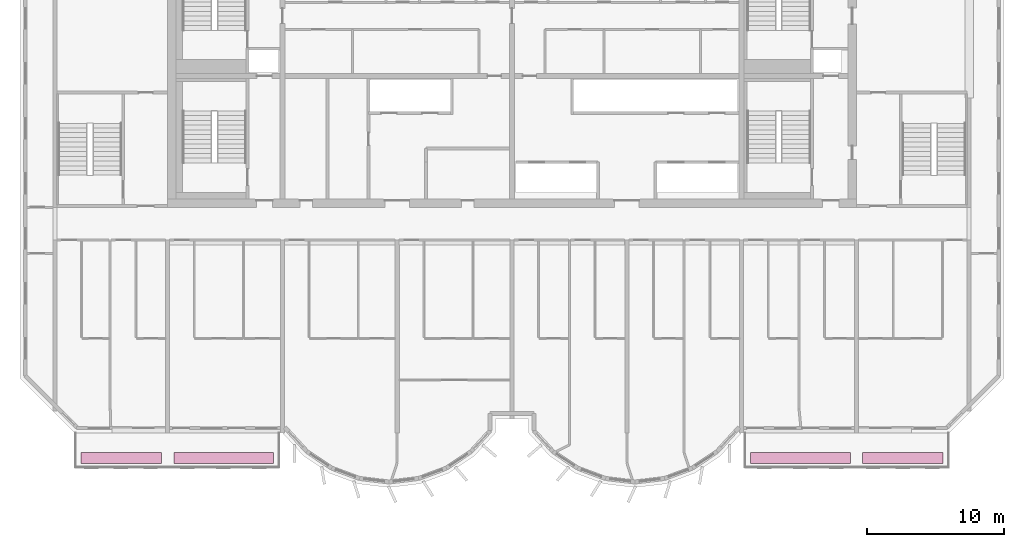
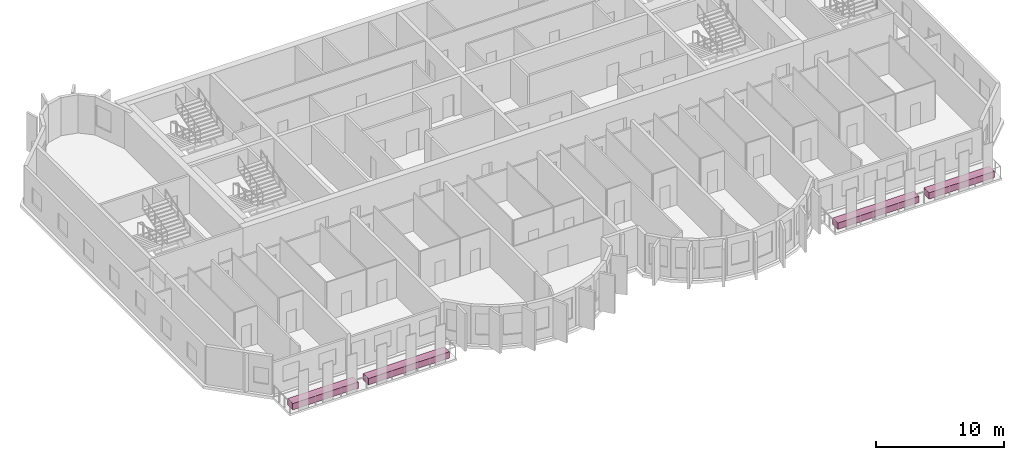
# One storey, part 12 of 12: 4 furniture elements.
"""IFC4 building model written with IfcOpenShell, lengths in metres."""

from ifc_helpers import new_model, si_unit, direction, frame, origin, origin_2d, place, context, subcontext, project, spatial, rectangle, extrude, source, transform, mapped, material, type_object, element, save


model = new_model("IFC4")

# Units and contexts
model_context = context("Model", 3, precision=1e-05, world=origin(), true_north=direction((0.0, 1.0)))
body_context = subcontext(model_context, "Body", "Model", "MODEL_VIEW")
ifc_project = project(units=[si_unit("LENGTHUNIT", "METRE"), si_unit("AREAUNIT", "SQUARE_METRE"), si_unit("VOLUMEUNIT", "CUBIC_METRE"), si_unit("PLANEANGLEUNIT", "RADIAN"), si_unit("MASSUNIT", "GRAM", prefix="KILO")], contexts=[model_context])

# Site, building, storey
site_placement = place(None, origin())
site = spatial("IfcSite", under=ifc_project, at=site_placement, CompositionType="ELEMENT")
building_placement = place(site_placement, origin())
building = spatial("IfcBuilding", under=site, at=building_placement, Name="Vanashikhar Sky Hotel", CompositionType="ELEMENT")
storey_placement = place(building_placement, frame((0.0, 0.0, 221.800048828125)))
storey = spatial("IfcBuildingStorey", under=building, at=storey_placement, Name="L53", CompositionType="ELEMENT", Elevation=221.800048828125)

# Furniture
ifc_material = material(Name="Planting soil and shrubs")
furniture_type = type_object("IfcFurnitureType", Name="Planter trough", AssemblyPlace="NOTDEFINED", PredefinedType="USERDEFINED", material=ifc_material)
shared_shape_1 = source(origin(), body_context, "Body", "SweptSolid", [
    extrude(rectangle(XDim=7.300048828125, YDim=0.800048828125, at=origin_2d()), origin(), (0.0, 0.0, 1.0), 0.60009765625),
])
for number, where, z_axis, x_axis, name in (
    (1, (29.300048828125, 3.64990234375, -0.050048828125), (0.0, 0.0, 1.0), (1.0, 0.0, 0.0), "PLANTER with climbers"),
    (2, (71.5, 3.64990234375, -0.050048828125), (0.0, 0.0, 1.0), (1.0, 0.0, 0.0), "PLANTER with climbers"),
):
    element("IfcFurniture", number, at=place(storey_placement, frame(where, z_axis=z_axis, x_axis=x_axis)), inside=storey, type_object=furniture_type, Name=name, ObjectType="PLANTER", PredefinedType="USERDEFINED", context=body_context, shape_type="MappedRepresentation", body=[
        mapped(shared_shape_1, transform((0.0, 0.0, 0.0), scale=1.0)),
    ])
shared_shape_2 = source(origin(), body_context, "Body", "SweptSolid", [
    extrude(rectangle(XDim=5.89990234375, YDim=0.800048828125, at=origin_2d()), origin(), (0.0, 0.0, 1.0), 0.60009765625),
])
for number, where, z_axis, x_axis, name in (
    (3, (21.800048828125, 3.64990234375, -0.050048828125), (0.0, 0.0, 1.0), (1.0, 0.0, 0.0), "PLANTER with climbers"),
    (4, (79.0, 3.64990234375, -0.050048828125), (0.0, 0.0, 1.0), (1.0, 0.0, 0.0), "PLANTER with climbers"),
):
    element("IfcFurniture", number, at=place(storey_placement, frame(where, z_axis=z_axis, x_axis=x_axis)), inside=storey, type_object=furniture_type, Name=name, ObjectType="PLANTER", PredefinedType="USERDEFINED", context=body_context, shape_type="MappedRepresentation", body=[
        mapped(shared_shape_2, transform((0.0, 0.0, 0.0), scale=1.0)),
    ])

save(model, "model.ifc")
